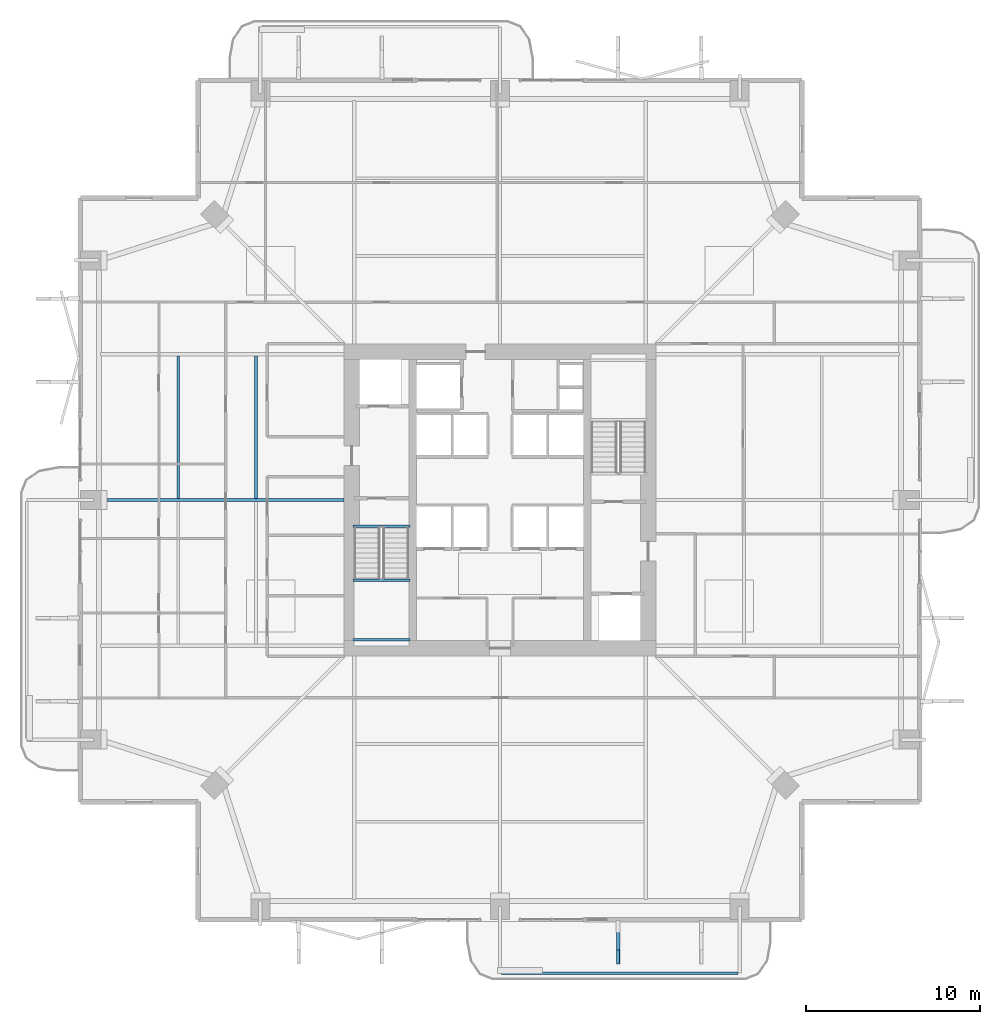
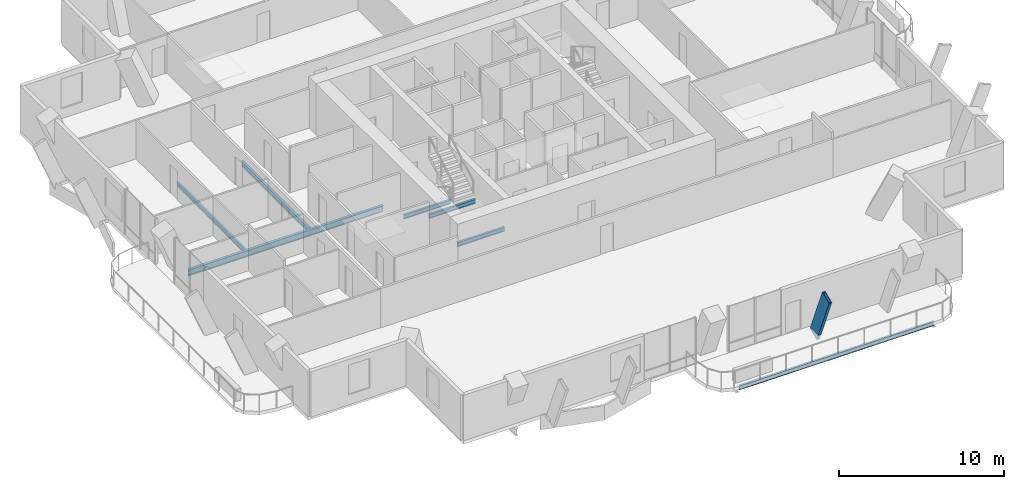
# One storey, part 7 of 24: 7 beams, 1 member.
"""IFC4 building model written with IfcOpenShell, lengths in metres."""

from ifc_helpers import new_model, si_unit, direction, frame, origin, origin_2d, place, context, subcontext, project, spatial, hollow_rectangle, i_section, extrude, material, material_profile, profile_set, type_object, element, save


model = new_model("IFC4")

# Units and contexts
model_context = context("Model", 3, precision=1e-05, world=origin(), true_north=direction((0.0, 1.0)))
body_context = subcontext(model_context, "Body", "Model", "MODEL_VIEW")
ifc_project = project(units=[si_unit("LENGTHUNIT", "METRE"), si_unit("AREAUNIT", "SQUARE_METRE"), si_unit("VOLUMEUNIT", "CUBIC_METRE"), si_unit("PLANEANGLEUNIT", "RADIAN"), si_unit("MASSUNIT", "GRAM", prefix="KILO")], contexts=[model_context])

# Site, building, storey
site_placement = place(None, origin())
site = spatial("IfcSite", under=ifc_project, at=site_placement, CompositionType="ELEMENT")
building_placement = place(site_placement, origin())
building = spatial("IfcBuilding", under=site, at=building_placement, Name="Belovzor Exchange Tower", CompositionType="ELEMENT")
storey_placement = place(building_placement, frame((0.0, 0.0, 190.800048828125)))
storey = spatial("IfcBuildingStorey", under=building, at=storey_placement, Name="L47", CompositionType="ELEMENT", Elevation=190.800048828125)

# Beams
ifc_material_1 = material(Name="Steel S355", Category="steel")
ifc_material_profile_1 = material_profile(ifc_material_1, i_section(OverallWidth=0.14990234375, OverallDepth=0.300048828125, WebThickness=0.007080078125, FlangeThickness=0.0107421875, at=origin_2d()))
ifc_profile_set_1 = profile_set([ifc_material_profile_1], Name="Steel S355")
beam_type_1 = type_object("IfcBeamType", Name="Planted Balcony Fascia Edge Beam IPE 300", PredefinedType="BEAM", material=ifc_profile_set_1)
beam_1_placement = place(storey_placement, frame((28.89990234375, 1.547119140625, -0.405029296875), z_axis=(1.0, 0.0, 0.0), x_axis=(0.0, 1.0, 0.0)))
element("IfcBeam", 1, at=beam_1_placement, inside=storey, type_object=beam_type_1, Name="BC-300 Planted Balcony Fascia Edge Beam IPE 300", PredefinedType="BEAM", context=body_context, shape_type="SweptSolid", body=[
    extrude(i_section(OverallWidth=0.14990234375, OverallDepth=0.300048828125, WebThickness=0.007080078125, FlangeThickness=0.0107421875, at=origin_2d()), origin(), (0.0, 0.0, 1.0), 13.60009765625),
])
ifc_material_2 = material(Name="Steel S355", Category="steel")
ifc_material_profile_2 = material_profile(ifc_material_2, i_section(OverallWidth=0.169921875, OverallDepth=0.360107421875, WebThickness=0.008056640625, FlangeThickness=0.0126953125, at=origin_2d()))
ifc_profile_set_2 = profile_set([ifc_material_profile_2], Name="Steel S355")
beam_type_2 = type_object("IfcBeamType", Name="Secondary Infill Floor Joist IPE 360", PredefinedType="BEAM", material=ifc_profile_set_2)
beam_2_placement = place(storey_placement, frame((14.7509765625, 28.89501953125, -0.43505859375), z_axis=(0.0, 1.0, 0.0), x_axis=(-1.0, 0.0, 0.0)))
element("IfcBeam", 2, at=beam_2_placement, inside=storey, type_object=beam_type_2, Name="FJ-360 Secondary Infill Floor Joist IPE 360", PredefinedType="BEAM", context=body_context, shape_type="SweptSolid", body=[
    extrude(i_section(OverallWidth=0.169921875, OverallDepth=0.360107421875, WebThickness=0.008056640625, FlangeThickness=0.0126953125, at=origin_2d()), origin(), (0.0, 0.0, 1.0), 8.2099609375),
])
ifc_material_3 = material(Name="Steel S355", Category="steel")
ifc_material_profile_3 = material_profile(ifc_material_3, i_section(OverallWidth=0.14990234375, OverallDepth=0.300048828125, WebThickness=0.007080078125, FlangeThickness=0.0107421875, at=origin_2d()))
ifc_profile_set_3 = profile_set([ifc_material_profile_3], Name="Steel S355")
beam_type_3 = type_object("IfcBeamType", Name="Secondary Trim Floor Joist IPE 300", PredefinedType="BEAM", material=ifc_profile_set_3)
for number, where, z_axis, x_axis, name in (
    (3, (20.320068359375, 24.179931640625, 1.52490234375), (1.0, 0.0, 0.0), (0.0, 1.0, 0.0), "FJ-300 Secondary Trim Floor Joist IPE 300"),
    (4, (20.320068359375, 20.75, 1.52490234375), (1.0, 0.0, 0.0), (0.0, 1.0, 0.0), "FJ-300 Secondary Trim Floor Joist IPE 300"),
):
    element("IfcBeam", number, at=place(storey_placement, frame(where, z_axis=z_axis, x_axis=x_axis)), inside=storey, type_object=beam_type_3, Name=name, PredefinedType="BEAM", context=body_context, shape_type="SweptSolid", body=[
        extrude(i_section(OverallWidth=0.14990234375, OverallDepth=0.300048828125, WebThickness=0.007080078125, FlangeThickness=0.0107421875, at=origin_2d()), origin(), (0.0, 0.0, 1.0), 3.309814453125),
    ])
beam_3_placement = place(storey_placement, frame((20.340087890625, 27.280029296875, -0.405029296875), z_axis=(1.0, 0.0, 0.0), x_axis=(0.0, 1.0, 0.0)))
element("IfcBeam", 5, at=beam_3_placement, inside=storey, type_object=beam_type_3, Name="FJ-300 Secondary Trim Floor Joist IPE 300", PredefinedType="BEAM", context=body_context, shape_type="SweptSolid", body=[
    extrude(i_section(OverallWidth=0.14990234375, OverallDepth=0.300048828125, WebThickness=0.007080078125, FlangeThickness=0.0107421875, at=origin_2d()), origin(), (0.0, 0.0, 1.0), 3.27001953125),
])
beam_4_placement = place(storey_placement, frame((10.262939453125, 28.89501953125, -0.405029296875), z_axis=(0.0, 1.0, 0.0), x_axis=(-1.0, 0.0, 0.0)))
element("IfcBeam", 6, at=beam_4_placement, inside=storey, type_object=beam_type_3, Name="FJ-300 Secondary Trim Floor Joist IPE 300", PredefinedType="BEAM", context=body_context, shape_type="SweptSolid", body=[
    extrude(i_section(OverallWidth=0.14990234375, OverallDepth=0.300048828125, WebThickness=0.007080078125, FlangeThickness=0.0107421875, at=origin_2d()), origin(), (0.0, 0.0, 1.0), 8.2099609375),
])

# Member
ifc_material_4 = material(Name="Extruded Architectural Terracotta on Steel S355 Carrier", Category="masonry")
ifc_material_profile_4 = material_profile(ifc_material_4, hollow_rectangle(XDim=0.199951171875, YDim=0.89990234375, WallThickness=0.011962890625, at=origin_2d()))
ifc_profile_set_4 = profile_set([ifc_material_profile_4], Name="Extruded Architectural Terracotta on Steel S355 Carrier")
member_type = type_object("IfcMemberType", Name="Sweeping Terracotta Baguette Fin Assembly 1250", PredefinedType="USERDEFINED", material=ifc_profile_set_4)
member_placement = place(storey_placement, frame((35.60009765625, 3.97509765625, -0.255126953125), z_axis=(0.0, -0.384162484071, 0.923265501268), x_axis=(1.0, 0.0, 0.0)))
element("IfcMember", 7, at=member_placement, inside=storey, type_object=member_type, Name="FIN-TC125 Terracotta Facade Fin L47 S3", ObjectType="FIN", PredefinedType="USERDEFINED", context=body_context, shape_type="SweptSolid", body=[
    extrude(hollow_rectangle(XDim=0.199951171875, YDim=0.89990234375, WallThickness=0.011962890625, at=origin_2d()), origin(), (0.0, 0.0, 1.0), 3.904541015625),
])

# Beam
ifc_material_5 = material(Name="Steel S355", Category="steel")
ifc_material_profile_5 = material_profile(ifc_material_5, i_section(OverallWidth=0.18994140625, OverallDepth=0.449951171875, WebThickness=0.009521484375, FlangeThickness=0.0146484375, at=origin_2d()))
ifc_profile_set_5 = profile_set([ifc_material_profile_5], Name="Steel S355")
beam_type_4 = type_object("IfcBeamType", Name="Zone 2-4 Radial Composite Floor Beam IPE 450", PredefinedType="BEAM", material=ifc_profile_set_5)
beam_5_placement = place(storey_placement, frame((19.800048828125, 28.800048828125, -0.47998046875), z_axis=(-1.0, 0.0, 0.0), x_axis=(0.0, -1.0, 0.0)))
element("IfcBeam", 8, at=beam_5_placement, inside=storey, type_object=beam_type_4, Name="FB-450 Zone 2-4 Radial Composite Floor Beam IPE 450", PredefinedType="BEAM", context=body_context, shape_type="SweptSolid", body=[
    extrude(i_section(OverallWidth=0.18994140625, OverallDepth=0.449951171875, WebThickness=0.009521484375, FlangeThickness=0.0146484375, at=origin_2d()), origin(), (0.0, 0.0, 1.0), 13.615966796875),
])

save(model, "model.ifc")
